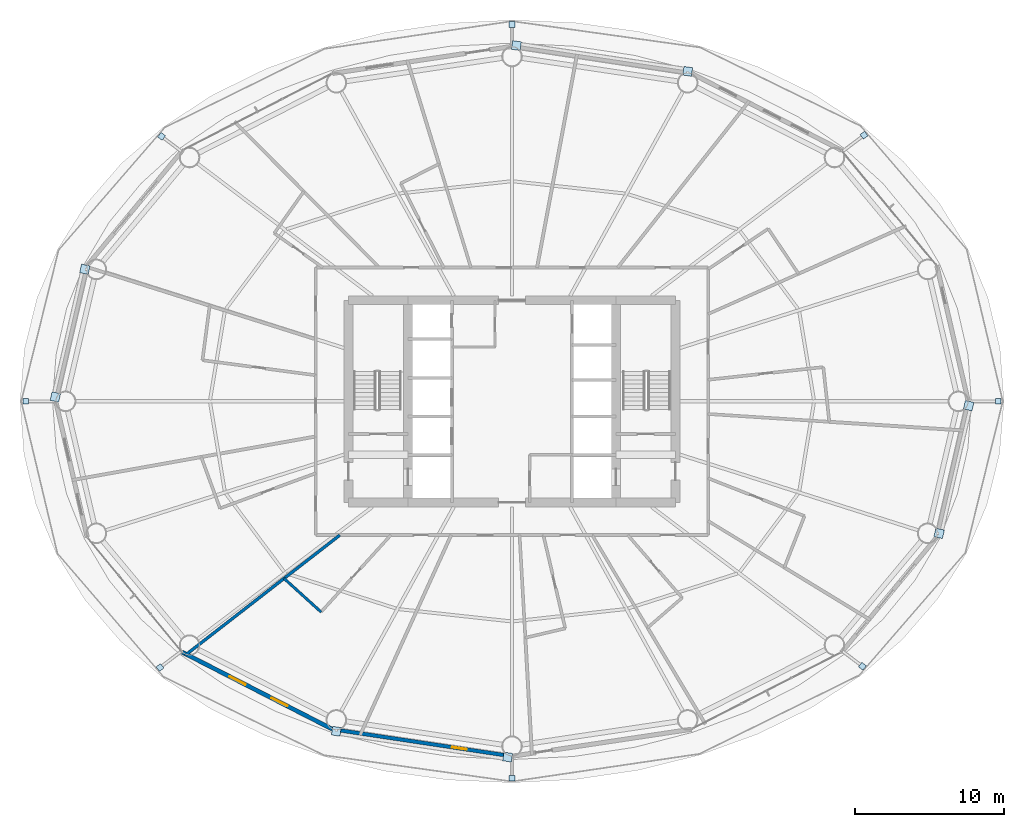
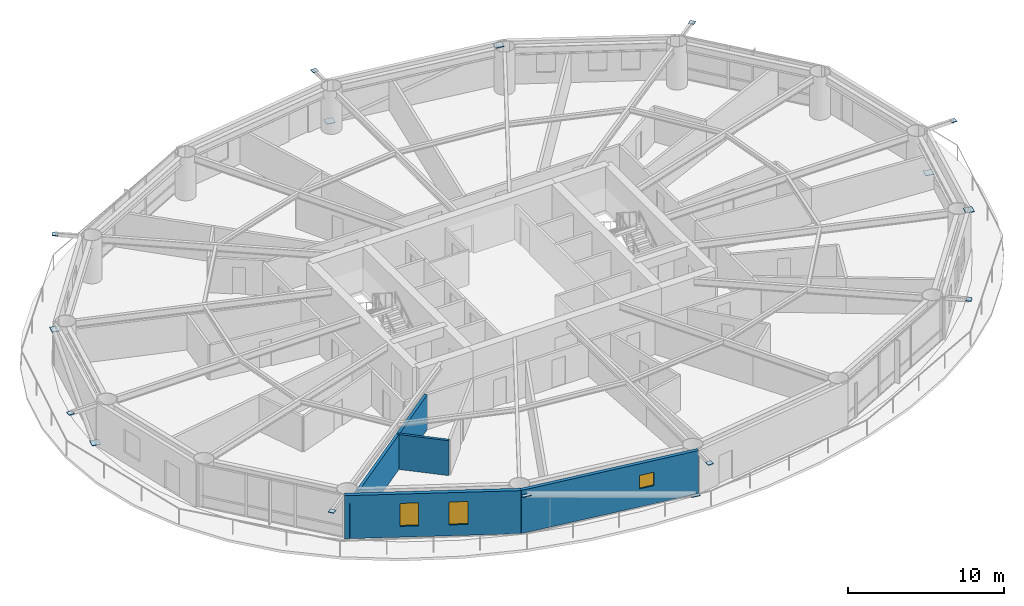
# One storey, part 19 of 26: 16 plates, 4 walls, 3 windows, 3 openings.
"""IFC4 building model written with IfcOpenShell, lengths in metres."""

from ifc_helpers import new_model, si_unit, direction, frame, frame_2d, origin, origin_2d, place, context, subcontext, project, spatial, rectangle, extrude, material, layer, layer_set, type_object, element, fill, save


model = new_model("IFC4")

# Units and contexts
model_context = context("Model", 3, precision=1e-05, world=origin(), true_north=direction((0.0, 1.0)))
body_context = subcontext(model_context, "Body", "Model", "MODEL_VIEW")
ifc_project = project(units=[si_unit("LENGTHUNIT", "METRE"), si_unit("AREAUNIT", "SQUARE_METRE"), si_unit("VOLUMEUNIT", "CUBIC_METRE"), si_unit("PLANEANGLEUNIT", "RADIAN"), si_unit("MASSUNIT", "GRAM", prefix="KILO")], contexts=[model_context])

# Site, building, storey
site_placement = place(None, origin())
site = spatial("IfcSite", under=ifc_project, at=site_placement, CompositionType="ELEMENT")
building_placement = place(site_placement, origin())
building = spatial("IfcBuilding", under=site, at=building_placement, Name="Sarneth Arch Tower", CompositionType="ELEMENT")
storey_placement = place(building_placement, frame((0.0, 0.0, 49.800048828125)))
storey = spatial("IfcBuildingStorey", under=building, at=storey_placement, Name="L11", CompositionType="ELEMENT", Elevation=49.800048828125)

# Plates
ifc_material_1 = material(Name="Steel S355", Category="steel")
ifc_layer_1 = layer(ifc_material_1, 0.035888671875)
ifc_layer_set_1 = layer_set([ifc_layer_1], Name="Steel S355")
plate_type = type_object("IfcPlateType", Name="PLT-GUSSET-30", PredefinedType="SHEET", material=ifc_layer_set_1)
for number, where, z_axis, x_axis, name in (
    (1, (80.7265625, 42.0, 3.2021484375), (0.0, 0.0, 1.0), (1.0, 0.0, 0.0), "Steel end cap plate GP-1"),
    (2, (71.68408203125, 59.907470703125, 3.2021484375), (0.0, 0.0, 1.0), (0.797689196331, 0.603068773902, 0.0), "Steel end cap plate GP-1"),
):
    element("IfcPlate", number, at=place(storey_placement, frame(where, z_axis=z_axis, x_axis=x_axis)), inside=storey, type_object=plate_type, Name=name, PredefinedType="SHEET", context=body_context, shape_type="SweptSolid", body=[
        extrude(rectangle(XDim=0.3798828125, YDim=0.3798828125, at=origin_2d()), origin(), (0.0, 0.0, 1.0), 0.035888671875),
    ])
for number, where, z_axis, x_axis, name in (
    (3, (48.296630859375, 65.935302734375, 0.001953125), (0.0, 0.0, 1.0), (-0.98883454203, 0.149017611339, 0.0), "Steel end cap plate GP-1"),
    (4, (59.819580078125, 64.19921875, 2.98876953125), (0.0, 0.0, 1.0), (-0.98883454203, 0.149017611339, 0.0), "Steel end cap plate GP-1"),
):
    element("IfcPlate", number, at=place(storey_placement, frame(where, z_axis=z_axis, x_axis=x_axis)), inside=storey, type_object=plate_type, Name=name, PredefinedType="SHEET", context=body_context, shape_type="SweptSolid", body=[
        extrude(rectangle(XDim=0.587890625, YDim=0.587890625, at=origin_2d()), origin(), (0.0, 0.0, 1.0), 0.035888671875),
    ])
for number, where, z_axis, x_axis, name in (
    (5, (48.0, 67.358154296875, 3.2021484375), (0.0, 0.0, 1.0), (0.0, 1.0, 0.0), "Steel end cap plate GP-1"),
    (6, (24.422119140625, 59.827392578125, 3.2021484375), (0.0, 0.0, 1.0), (-0.797689196331, 0.603068773902, 0.0), "Steel end cap plate GP-1"),
):
    element("IfcPlate", number, at=place(storey_placement, frame(where, z_axis=z_axis, x_axis=x_axis)), inside=storey, type_object=plate_type, Name=name, PredefinedType="SHEET", context=body_context, shape_type="SweptSolid", body=[
        extrude(rectangle(XDim=0.3798828125, YDim=0.3798828125, at=origin_2d()), origin(), (0.0, 0.0, 1.0), 0.035888671875),
    ])
for number, where, z_axis, x_axis, name in (
    (7, (17.274658203125, 42.292236328125, 0.001953125), (0.0, 0.0, 1.0), (-0.225291159947, -0.974291482694, 0.0), "Steel end cap plate GP-1"),
    (8, (19.260986328125, 50.884521484375, 2.98876953125), (0.0, 0.0, 1.0), (-0.225291159947, -0.974291482694, 0.0), "Steel end cap plate GP-1"),
):
    element("IfcPlate", number, at=place(storey_placement, frame(where, z_axis=z_axis, x_axis=x_axis)), inside=storey, type_object=plate_type, Name=name, PredefinedType="SHEET", context=body_context, shape_type="SweptSolid", body=[
        extrude(rectangle(XDim=0.587890625, YDim=0.587890625, at=origin_2d()), origin(), (0.0, 0.0, 1.0), 0.035888671875),
    ])
for number, where, z_axis, x_axis, name in (
    (9, (15.2734375, 42.0, 3.2021484375), (0.0, 0.0, 1.0), (-1.0, 0.0, 0.0), "Steel end cap plate GP-1"),
    (10, (24.31591796875, 24.092529296875, 3.2021484375), (0.0, 0.0, 1.0), (-0.797689196331, -0.603068773902, 0.0), "Steel end cap plate GP-1"),
):
    element("IfcPlate", number, at=place(storey_placement, frame(where, z_axis=z_axis, x_axis=x_axis)), inside=storey, type_object=plate_type, Name=name, PredefinedType="SHEET", context=body_context, shape_type="SweptSolid", body=[
        extrude(rectangle(XDim=0.3798828125, YDim=0.3798828125, at=origin_2d()), origin(), (0.0, 0.0, 1.0), 0.035888671875),
    ])
for number, where, z_axis, x_axis, name in (
    (11, (47.703369140625, 18.064697265625, 0.001953125), (0.0, 0.0, 1.0), (0.98883454203, -0.149017611339, 0.0), "Steel end cap plate GP-1"),
    (12, (36.180419921875, 19.80078125, 2.98876953125), (0.0, 0.0, 1.0), (0.98883454203, -0.149017611339, 0.0), "Steel end cap plate GP-1"),
):
    element("IfcPlate", number, at=place(storey_placement, frame(where, z_axis=z_axis, x_axis=x_axis)), inside=storey, type_object=plate_type, Name=name, PredefinedType="SHEET", context=body_context, shape_type="SweptSolid", body=[
        extrude(rectangle(XDim=0.587890625, YDim=0.587890625, at=origin_2d()), origin(), (0.0, 0.0, 1.0), 0.035888671875),
    ])
for number, where, z_axis, x_axis, name in (
    (13, (48.0, 16.641845703125, 3.2021484375), (0.0, 0.0, 1.0), (0.0, -1.0, 0.0), "Steel end cap plate GP-1"),
    (14, (71.577880859375, 24.172607421875, 3.2021484375), (0.0, 0.0, 1.0), (0.797689196331, -0.603068773902, 0.0), "Steel end cap plate GP-1"),
):
    element("IfcPlate", number, at=place(storey_placement, frame(where, z_axis=z_axis, x_axis=x_axis)), inside=storey, type_object=plate_type, Name=name, PredefinedType="SHEET", context=body_context, shape_type="SweptSolid", body=[
        extrude(rectangle(XDim=0.3798828125, YDim=0.3798828125, at=origin_2d()), origin(), (0.0, 0.0, 1.0), 0.035888671875),
    ])
for number, where, z_axis, x_axis, name in (
    (15, (78.725341796875, 41.707763671875, 0.001953125), (0.0, 0.0, 1.0), (0.225291159947, 0.974291482694, 0.0), "Steel end cap plate GP-1"),
    (16, (76.739013671875, 33.115478515625, 2.98876953125), (0.0, 0.0, 1.0), (0.225291159947, 0.974291482694, 0.0), "Steel end cap plate GP-1"),
):
    element("IfcPlate", number, at=place(storey_placement, frame(where, z_axis=z_axis, x_axis=x_axis)), inside=storey, type_object=plate_type, Name=name, PredefinedType="SHEET", context=body_context, shape_type="SweptSolid", body=[
        extrude(rectangle(XDim=0.587890625, YDim=0.587890625, at=origin_2d()), origin(), (0.0, 0.0, 1.0), 0.035888671875),
    ])

# Wall, opening, window
ifc_material_2 = material(Name="Extruded terracotta rainscreen on Concrete C40/50 backing", Category="masonry")
ifc_layer_2 = layer(ifc_material_2, 0.25)
ifc_layer_set_2 = layer_set([ifc_layer_2], Name="Extruded terracotta rainscreen on Concrete C40/50 backing")
wall_type_1 = type_object("IfcWallType", Name="WALL-EXT-SPAND-250", PredefinedType="SOLIDWALL", material=ifc_layer_set_2)
wall_1_placement = place(storey_placement, frame((35.922119140625, 19.937744140625, 0.0), z_axis=(0.0, 0.0, 1.0), x_axis=(0.988864835849, -0.148816452121, 0.0)))
wall_1 = element("IfcWall", 17, at=wall_1_placement, inside=storey, type_object=wall_type_1, Name="L11 Terracotta perimeter wall 12", PredefinedType="SOLIDWALL", context=body_context, shape_type="SweptSolid", body=[
    extrude(rectangle(XDim=12.2138671875, YDim=0.25, at=frame_2d((6.10693359375, 0.0))), origin(), (0.0, 0.0, 1.0), 3.3798828125),
])
opening_1_placement = place(wall_1_placement, frame((8.134521484375, 0.0, 1.419921875)))
opening_1 = element("IfcOpeningElement", 18, at=opening_1_placement, cuts=wall_1, Name="Opening W-14", PredefinedType="OPENING", context=body_context, shape_type="SweptSolid", body=[
    extrude(rectangle(XDim=1.0, YDim=1.050048828125, at=frame_2d((0.5, 0.52490234375))), frame((0.0, 0.135009765625, 0.0), z_axis=(0.0, -1.0, 0.0), x_axis=(1.0, 0.0, 0.0)), (0.0, 0.0, 1.0), 0.27001953125),
])
ifc_material_3 = material(Name="Thermally broken Aluminium 6063-T6 and low-e laminated IGU", Category="aluminium")
window_type_1 = type_object("IfcWindowType", Name="WIN-TWR-1000x1050", PartitioningType="SINGLE_PANEL", PredefinedType="WINDOW", material=ifc_material_3)
window_1_placement = place(opening_1_placement, origin())
window_1 = element("IfcWindow", 19, at=window_1_placement, inside=storey, type_object=window_type_1, Name="L11 Dwelling bedroom window 01", OverallHeight=1.050048828125, OverallWidth=1.0, PartitioningType="SINGLE_PANEL", PredefinedType="WINDOW", context=body_context, shape_type="SweptSolid", body=[
    extrude(rectangle(XDim=1.0, YDim=1.050048828125, at=frame_2d((0.5, 0.52490234375))), frame((0.0, 0.030029296875, 0.0), z_axis=(0.0, -1.0, 0.0), x_axis=(1.0, 0.0, 0.0)), (0.0, 0.0, 1.0), 0.06005859375),
])
fill(opening_1, window_1)

# Wall, openings, windows
ifc_material_4 = material(Name="Extruded terracotta rainscreen on Concrete C40/50 backing", Category="masonry")
ifc_layer_3 = layer(ifc_material_4, 0.280029296875)
ifc_layer_set_3 = layer_set([ifc_layer_3], Name="Extruded terracotta rainscreen on Concrete C40/50 backing")
wall_type_2 = type_object("IfcWallType", Name="WALL-EXT-TERRA-280", PredefinedType="SOLIDWALL", material=ifc_layer_set_3)
wall_2_placement = place(storey_placement, frame((25.825927734375, 25.1142578125, 0.0), z_axis=(0.0, 0.0, 1.0), x_axis=(0.889853976658, -0.456245438581, 0.0)))
wall_2 = element("IfcWall", 20, at=wall_2_placement, inside=storey, type_object=wall_type_2, Name="L11 Terracotta perimeter wall 11", PredefinedType="SOLIDWALL", context=body_context, shape_type="SweptSolid", body=[
    extrude(rectangle(XDim=11.345947265625, YDim=0.280029296875, at=frame_2d((5.6728515625, 0.0))), origin(), (0.0, 0.0, 1.0), 3.3798828125),
])
opening_2_placement = place(wall_2_placement, frame((3.567138671875, 0.0, 0.85009765625)))
opening_2 = element("IfcOpeningElement", 21, at=opening_2_placement, cuts=wall_2, Name="Opening W-09", PredefinedType="OPENING", context=body_context, shape_type="SweptSolid", body=[
    extrude(rectangle(XDim=1.199951171875, YDim=1.800048828125, at=frame_2d((0.60009765625, 0.89990234375))), frame((0.0, 0.14990234375, 0.0), z_axis=(0.0, -1.0, 0.0), x_axis=(1.0, 0.0, 0.0)), (0.0, 0.0, 1.0), 0.300048828125),
])
opening_3_placement = place(wall_2_placement, frame((6.72900390625, 0.0, 0.85009765625)))
opening_3 = element("IfcOpeningElement", 22, at=opening_3_placement, cuts=wall_2, Name="Opening W-09", PredefinedType="OPENING", context=body_context, shape_type="SweptSolid", body=[
    extrude(rectangle(XDim=1.199951171875, YDim=1.800048828125, at=frame_2d((0.60009765625, 0.89990234375))), frame((0.0, 0.14990234375, 0.0), z_axis=(0.0, -1.0, 0.0), x_axis=(1.0, 0.0, 0.0)), (0.0, 0.0, 1.0), 0.300048828125),
])
ifc_material_5 = material(Name="Thermally broken Aluminium 6063-T6 and low-e laminated IGU", Category="aluminium")
window_type_2 = type_object("IfcWindowType", Name="WIN-TWR-1200x1800", PartitioningType="SINGLE_PANEL", PredefinedType="WINDOW", material=ifc_material_5)
window_2_placement = place(opening_2_placement, origin())
window_2 = element("IfcWindow", 23, at=window_2_placement, inside=storey, type_object=window_type_2, Name="L11 Exterior window 11A", OverallHeight=1.800048828125, OverallWidth=1.199951171875, PartitioningType="SINGLE_PANEL", PredefinedType="WINDOW", context=body_context, shape_type="SweptSolid", body=[
    extrude(rectangle(XDim=1.199951171875, YDim=1.800048828125, at=frame_2d((0.60009765625, 0.89990234375))), frame((0.0, 0.030029296875, 0.0), z_axis=(0.0, -1.0, 0.0), x_axis=(1.0, 0.0, 0.0)), (0.0, 0.0, 1.0), 0.06005859375),
])
fill(opening_2, window_2)
window_3_placement = place(opening_3_placement, origin())
window_3 = element("IfcWindow", 24, at=window_3_placement, inside=storey, type_object=window_type_2, Name="L11 Exterior window 11B", OverallHeight=1.800048828125, OverallWidth=1.199951171875, PartitioningType="SINGLE_PANEL", PredefinedType="WINDOW", context=body_context, shape_type="SweptSolid", body=[
    extrude(rectangle(XDim=1.199951171875, YDim=1.800048828125, at=frame_2d((0.60009765625, 0.89990234375))), frame((0.0, 0.030029296875, 0.0), z_axis=(0.0, -1.0, 0.0), x_axis=(1.0, 0.0, 0.0)), (0.0, 0.0, 1.0), 0.06005859375),
])
fill(opening_3, window_3)

# Walls
ifc_material_6 = material(Name="Moisture-resistant plumbing chase wall", Category="gypsum")
ifc_layer_4 = layer(ifc_material_6, 0.179931640625)
ifc_layer_set_4 = layer_set([ifc_layer_4], Name="Moisture-resistant plumbing chase wall")
wall_type_3 = type_object("IfcWallType", Name="WALL-PLUMB-180", PredefinedType="PLUMBINGWALL", material=ifc_layer_set_4)
wall_3_placement = place(storey_placement, frame((32.66357421875, 30.083984375, 0.0), z_axis=(0.0, 0.0, 1.0), x_axis=(0.740964368308, -0.67154434321, 0.0)))
element("IfcWall", 25, at=wall_3_placement, inside=storey, type_object=wall_type_3, Name="L11 Interior partition W-L11-TP-052", PredefinedType="PLUMBINGWALL", context=body_context, shape_type="SweptSolid", body=[
    extrude(rectangle(XDim=3.362060546875, YDim=0.179931640625, at=frame_2d((1.68115234375, 0.0))), origin(), (0.0, 0.0, 1.0), 2.739990234375),
])
ifc_material_7 = material(Name="Double steel-stud acoustic drywall", Category="steel")
ifc_layer_5 = layer(ifc_material_7, 0.199951171875)
ifc_layer_set_5 = layer_set([ifc_layer_5], Name="Double steel-stud acoustic drywall")
wall_type_4 = type_object("IfcWallType", Name="WALL-UNIT-200", PredefinedType="PARTITIONING", material=ifc_layer_set_5)
wall_4_placement = place(storey_placement, frame((36.41650390625, 33.0, 0.0), z_axis=(0.0, 0.0, 1.0), x_axis=(-0.789656987139, -0.613548565855, 0.0)))
element("IfcWall", 26, at=wall_4_placement, inside=storey, type_object=wall_type_4, Name="L11 Interior partition W-L11-TP-050", PredefinedType="PARTITIONING", context=body_context, shape_type="SweptSolid", body=[
    extrude(rectangle(XDim=13.19482421875, YDim=0.199951171875, at=frame_2d((6.597412109375, 0.0))), origin(), (0.0, 0.0, 1.0), 2.739990234375),
])

save(model, "model.ifc")
